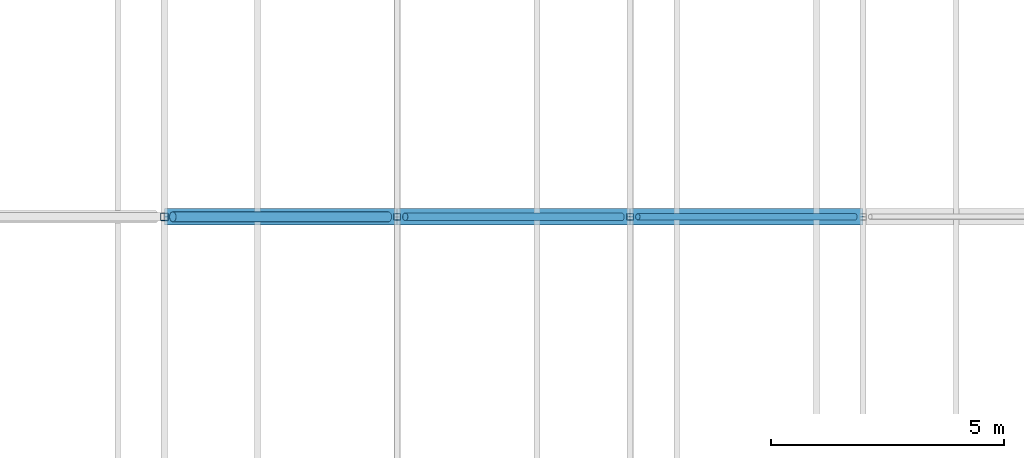
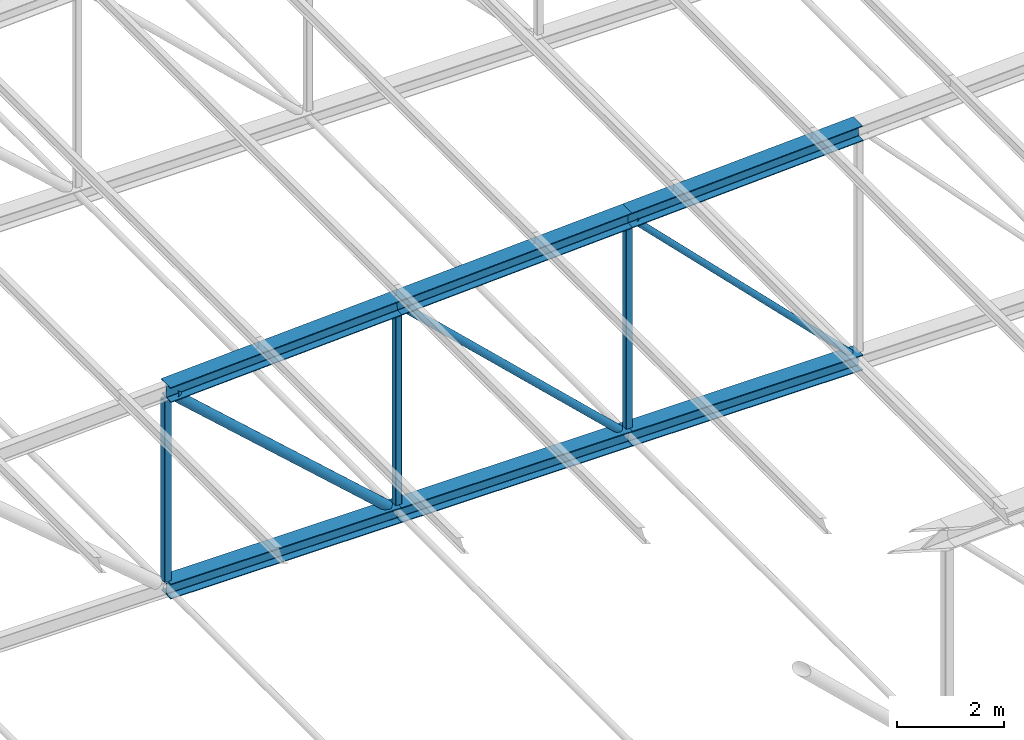
# One storey, part 92 of 156: 12 members.
"""IFC4 building model written with IfcOpenShell, lengths in metres."""

from ifc_helpers import new_model, si_unit, direction, frame, origin, origin_2d, place, context, subcontext, project, spatial, hollow_rectangle, hollow_circle, i_section, extrude, material, material_profile, profile_set, type_object, element, save


model = new_model("IFC4")

# Units and contexts
model_context = context("Model", 3, precision=1e-05, world=origin(), true_north=direction((0.0, 1.0)))
body_context = subcontext(model_context, "Body", "Model", "MODEL_VIEW")
ifc_project = project(units=[si_unit("LENGTHUNIT", "METRE"), si_unit("AREAUNIT", "SQUARE_METRE"), si_unit("VOLUMEUNIT", "CUBIC_METRE"), si_unit("PLANEANGLEUNIT", "RADIAN"), si_unit("MASSUNIT", "GRAM", prefix="KILO")], contexts=[model_context])

# Site, building, storey
site_placement = place(None, origin())
site = spatial("IfcSite", under=ifc_project, at=site_placement, CompositionType="ELEMENT")
building_placement = place(site_placement, origin())
building = spatial("IfcBuilding", under=site, at=building_placement, Name="Lilac Gate Convention Centre", CompositionType="ELEMENT")
storey_placement = place(building_placement, frame((0.0, 0.0, 17.0)))
storey = spatial("IfcBuildingStorey", under=building, at=storey_placement, Name="L03", CompositionType="ELEMENT", Elevation=17.0)

# Members
ifc_material = material(Name="Steel Q355B", Category="steel")
ifc_material_profile_1 = material_profile(ifc_material, i_section(OverallWidth=0.35009765625, OverallDepth=0.35009765625, WebThickness=0.011962890625, FlangeThickness=0.01904296875, FilletRadius=0.012939453125, at=origin_2d()), Name="HW350x350x12x19")
ifc_profile_set_1 = profile_set([ifc_material_profile_1], Name="Steel Q355B")
member_type_1 = type_object("IfcMemberType", Name="Truss bottom chord HW350x350x12x19", PredefinedType="CHORD", material=ifc_profile_set_1)
for number, where, z_axis, x_axis, name in (
    (1, (40.0, 162.0, 0.0), (1.0, 0.0, 0.0), (0.0, 1.0, 0.0), "TB2 truss 12 bottom chord 3"),
    (2, (45.0, 162.0, 0.0), (1.0, 0.0, 0.0), (0.0, 1.0, 0.0), "TB2 truss 12 bottom chord 4"),
):
    element("IfcMember", number, at=place(storey_placement, frame(where, z_axis=z_axis, x_axis=x_axis)), inside=storey, type_object=member_type_1, Name=name, PredefinedType="CHORD", context=body_context, shape_type="SweptSolid", body=[
        extrude(i_section(OverallWidth=0.35009765625, OverallDepth=0.35009765625, WebThickness=0.011962890625, FlangeThickness=0.01904296875, FilletRadius=0.012939453125, at=origin_2d()), origin(), (0.0, 0.0, 1.0), 5.0),
    ])
ifc_material_profile_2 = material_profile(ifc_material, i_section(OverallWidth=0.35693359375, OverallDepth=0.35009765625, WebThickness=0.01904296875, FlangeThickness=0.01904296875, FilletRadius=0.012939453125, at=origin_2d()), Name="HW350x357x19x19")
ifc_profile_set_2 = profile_set([ifc_material_profile_2], Name="Steel Q355B")
member_type_2 = type_object("IfcMemberType", Name="Truss bottom chord HW350x357x19x19", PredefinedType="CHORD", material=ifc_profile_set_2)
member_1_placement = place(storey_placement, frame((50.0, 162.0, 0.0), z_axis=(1.0, 0.0, 0.0), x_axis=(0.0, 1.0, 0.0)))
element("IfcMember", 3, at=member_1_placement, inside=storey, type_object=member_type_2, Name="TB3 truss 12 bottom chord 5", PredefinedType="CHORD", context=body_context, shape_type="SweptSolid", body=[
    extrude(i_section(OverallWidth=0.35693359375, OverallDepth=0.35009765625, WebThickness=0.01904296875, FlangeThickness=0.01904296875, FilletRadius=0.012939453125, at=origin_2d()), origin(), (0.0, 0.0, 1.0), 5.0),
])
ifc_material_profile_3 = material_profile(ifc_material, hollow_circle(Radius=0.06982421875, WallThickness=0.006103515625, at=origin_2d()), Name="CHS139.7x6")
ifc_profile_set_3 = profile_set([ifc_material_profile_3], Name="Steel Q355B")
member_type_3 = type_object("IfcMemberType", Name="Truss diagonal CHS139.7x6", PredefinedType="BRACE", material=ifc_profile_set_3)
member_2_placement = place(storey_placement, frame((50.164306640625, 162.0, 4.835693359375), z_axis=(0.707106781187, 0.0, -0.707106781187), x_axis=(0.0, 1.0, 0.0)))
element("IfcMember", 4, at=member_2_placement, inside=storey, type_object=member_type_3, Name="TW5 truss 12 diagonal 5", PredefinedType="BRACE", context=body_context, shape_type="SweptSolid", body=[
    extrude(hollow_circle(Radius=0.06982421875, WallThickness=0.006103515625, at=origin_2d()), origin(), (0.0, 0.0, 1.0), 6.591064453125),
])
ifc_material_profile_4 = material_profile(ifc_material, hollow_circle(Radius=0.084228515625, WallThickness=0.006103515625, at=origin_2d()), Name="CHS168.3x6")
ifc_profile_set_4 = profile_set([ifc_material_profile_4], Name="Steel Q355B")
member_type_4 = type_object("IfcMemberType", Name="Truss diagonal CHS168.3x6", PredefinedType="BRACE", material=ifc_profile_set_4)
member_3_placement = place(storey_placement, frame((45.1728515625, 162.0, 4.585693359375), z_axis=(0.725020373275, 0.0, -0.688727419475), x_axis=(0.0, 1.0, 0.0)))
element("IfcMember", 5, at=member_3_placement, inside=storey, type_object=member_type_4, Name="TW4 truss 12 diagonal 4", PredefinedType="BRACE", context=body_context, shape_type="SweptSolid", body=[
    extrude(hollow_circle(Radius=0.084228515625, WallThickness=0.006103515625, at=origin_2d()), origin(), (0.0, 0.0, 1.0), 6.404052734375),
])
ifc_material_profile_5 = material_profile(ifc_material, hollow_circle(Radius=0.109619140625, WallThickness=0.008056640625, at=origin_2d()), Name="CHS219.1x8")
ifc_profile_set_5 = profile_set([ifc_material_profile_5], Name="Steel Q355B")
member_type_5 = type_object("IfcMemberType", Name="Truss diagonal CHS219.1x8", PredefinedType="BRACE", material=ifc_profile_set_5)
member_4_placement = place(storey_placement, frame((40.1826171875, 162.0, 4.335693359375), z_axis=(0.743301953498, 0.0, -0.668956056797), x_axis=(0.0, 1.0, 0.0)))
element("IfcMember", 6, at=member_4_placement, inside=storey, type_object=member_type_5, Name="TW3 truss 12 diagonal 3", PredefinedType="BRACE", context=body_context, shape_type="SweptSolid", body=[
    extrude(hollow_circle(Radius=0.109619140625, WallThickness=0.008056640625, at=origin_2d()), origin(), (0.0, 0.0, 1.0), 6.2197265625),
])
ifc_material_profile_6 = material_profile(ifc_material, i_section(OverallWidth=0.35009765625, OverallDepth=0.35009765625, WebThickness=0.011962890625, FlangeThickness=0.01904296875, FilletRadius=0.012939453125, at=origin_2d()), Name="HW350x350x12x19")
ifc_profile_set_6 = profile_set([ifc_material_profile_6], Name="Steel Q355B")
member_type_6 = type_object("IfcMemberType", Name="Truss top chord HW350x350x12x19", PredefinedType="CHORD", material=ifc_profile_set_6)
for number, where, z_axis, x_axis, name in (
    (7, (40.0, 162.0, 4.5), (0.998752338878, 0.0, 0.049937616944), (0.0, 1.0, 0.0), "TT2 truss 12 top chord 3"),
    (8, (45.0, 162.0, 4.75), (0.998752338878, 0.0, 0.049937616944), (0.0, 1.0, 0.0), "TT2 truss 12 top chord 4"),
    (9, (50.0, 162.0, 5.0), (0.998752338878, 0.0, 0.049937616944), (0.0, 1.0, 0.0), "TT2 truss 12 top chord 5"),
):
    element("IfcMember", number, at=place(storey_placement, frame(where, z_axis=z_axis, x_axis=x_axis)), inside=storey, type_object=member_type_6, Name=name, PredefinedType="CHORD", context=body_context, shape_type="SweptSolid", body=[
        extrude(i_section(OverallWidth=0.35009765625, OverallDepth=0.35009765625, WebThickness=0.011962890625, FlangeThickness=0.01904296875, FilletRadius=0.012939453125, at=origin_2d()), origin(), (0.0, 0.0, 1.0), 5.00634765625),
    ])
ifc_material_profile_7 = material_profile(ifc_material, hollow_rectangle(XDim=0.139892578125, YDim=0.139892578125, WallThickness=0.0048828125, InnerFilletRadius=0.0048828125, OuterFilletRadius=0.010009765625, at=origin_2d()), Name="SHS140x140x5")
ifc_profile_set_7 = profile_set([ifc_material_profile_7], Name="Steel Q355B")
member_type_7 = type_object("IfcMemberType", Name="Truss vertical SHS140x140x5", PredefinedType="STRUT", material=ifc_profile_set_7)
member_5_placement = place(storey_placement, frame((45.0, 162.0, 0.175048828125), z_axis=(0.0, 0.0, 1.0), x_axis=(1.0, 0.0, 0.0)))
element("IfcMember", 10, at=member_5_placement, inside=storey, type_object=member_type_7, Name="TV4 truss 12 vertical 4", PredefinedType="STRUT", context=body_context, shape_type="SweptSolid", body=[
    extrude(hollow_rectangle(XDim=0.139892578125, YDim=0.139892578125, WallThickness=0.0048828125, InnerFilletRadius=0.0048828125, OuterFilletRadius=0.010009765625, at=origin_2d()), origin(), (0.0, 0.0, 1.0), 4.399658203125),
])
member_6_placement = place(storey_placement, frame((50.0, 162.0, 0.175048828125), z_axis=(0.0, 0.0, 1.0), x_axis=(1.0, 0.0, 0.0)))
element("IfcMember", 11, at=member_6_placement, inside=storey, type_object=member_type_7, Name="TV4 truss 12 vertical 5", PredefinedType="STRUT", context=body_context, shape_type="SweptSolid", body=[
    extrude(hollow_rectangle(XDim=0.139892578125, YDim=0.139892578125, WallThickness=0.0048828125, InnerFilletRadius=0.0048828125, OuterFilletRadius=0.010009765625, at=origin_2d()), origin(), (0.0, 0.0, 1.0), 4.649658203125),
])
ifc_material_profile_8 = material_profile(ifc_material, hollow_rectangle(XDim=0.159912109375, YDim=0.159912109375, WallThickness=0.006103515625, InnerFilletRadius=0.006103515625, OuterFilletRadius=0.011962890625, at=origin_2d()), Name="SHS160x160x6")
ifc_profile_set_8 = profile_set([ifc_material_profile_8], Name="Steel Q355B")
member_type_8 = type_object("IfcMemberType", Name="Truss vertical SHS160x160x6", PredefinedType="STRUT", material=ifc_profile_set_8)
member_7_placement = place(storey_placement, frame((40.0, 162.0, 0.175048828125), z_axis=(0.0, 0.0, 1.0), x_axis=(1.0, 0.0, 0.0)))
element("IfcMember", 12, at=member_7_placement, inside=storey, type_object=member_type_8, Name="TV3 truss 12 vertical 3", PredefinedType="STRUT", context=body_context, shape_type="SweptSolid", body=[
    extrude(hollow_rectangle(XDim=0.159912109375, YDim=0.159912109375, WallThickness=0.006103515625, InnerFilletRadius=0.006103515625, OuterFilletRadius=0.011962890625, at=origin_2d()), origin(), (0.0, 0.0, 1.0), 4.149658203125),
])

save(model, "model.ifc")
